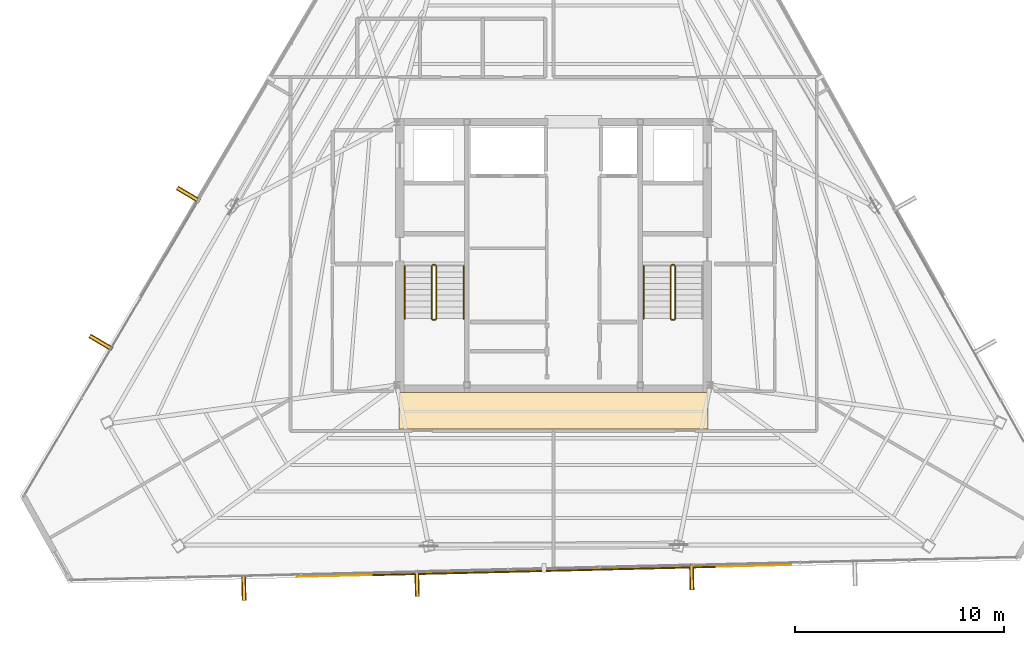
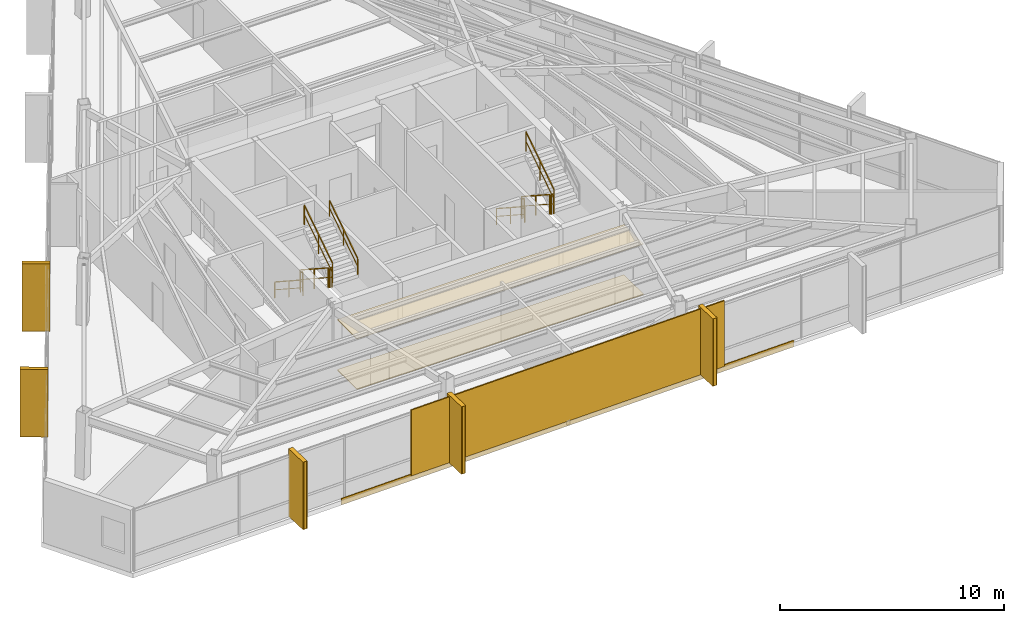
# One storey, part 44 of 45: 11 railings, 8 coverings, 6 shading devices.
"""IFC4 building model written with IfcOpenShell, lengths in metres."""

import ifcopenshell
import ifcopenshell.guid

model = None  # the IFC model being written
_history = None  # IfcOwnerHistory: only IFC2X3 demands one
_inside = {}  # id of a spatial element -> (the spatial element, [elements in it])
_under = {}  # id of a project, library or spatial element -> (it, [spatial elements below it])
_declared = {}  # id of a project -> (the project, [libraries it declares])
_typed = {}  # id of a type object -> (the type object, [elements of that type])
_made_of = {}  # id of a material, layer set ... -> (it, [elements and type objects made of it])


def new_model(schema):
    """Start an empty IFC model of exactly this schema.

    Asked for "IFC4X3", IfcOpenShell would pick the latest addendum, in which some entities
    have other attributes; the version numbers below select the first issue.
    IFC2X3 requires an IfcOwnerHistory on every rooted entity: one is made here for all.
    """
    global model, _history
    if schema == "IFC4X3":
        model = ifcopenshell.file(schema_version=(4, 3, 0, 0))
    else:
        model = ifcopenshell.file(schema=schema)
    _inside.clear()
    _under.clear()
    _declared.clear()
    _typed.clear()
    _made_of.clear()
    _history = None
    if model.schema == "IFC2X3":
        org = make("IfcOrganization", Name="unknown")
        user = make(
            "IfcPersonAndOrganization",
            ThePerson=make("IfcPerson", FamilyName="unknown"),
            TheOrganization=org,
        )
        app = make(
            "IfcApplication",
            ApplicationDeveloper=org,
            Version="unknown",
            ApplicationFullName="unknown",
            ApplicationIdentifier="unknown",
        )
        _history = make(
            "IfcOwnerHistory",
            OwningUser=user,
            OwningApplication=app,
            ChangeAction="ADDED",
            CreationDate=0,
        )
    return model


def make(cls, **values):
    """One entity of the class cls with the attributes given. An attribute that is None is left unset."""
    return model.create_entity(
        cls, **{name: value for name, value in values.items() if value is not None}
    )


def rooted(cls, **values):
    """An entity with a GlobalId (a new one), such as an element, a storey or a relation."""
    return make(cls, GlobalId=ifcopenshell.guid.new(), OwnerHistory=_history, **values)


def si_unit(unit_type, name, prefix=None):
    """IfcSIUnit, for example si_unit("LENGTHUNIT", "METRE", prefix="MILLI")."""
    return make("IfcSIUnit", UnitType=unit_type, Prefix=prefix, Name=name)


def assignment(units):
    """IfcUnitAssignment: the units of a project."""
    return None if units is None else make("IfcUnitAssignment", Units=units)


def point(xyz):
    """IfcCartesianPoint."""
    return None if xyz is None else make("IfcCartesianPoint", Coordinates=xyz)


def direction(xyz):
    """IfcDirection."""
    return None if xyz is None else make("IfcDirection", DirectionRatios=xyz)


def frame(location, z_axis=None, x_axis=None):
    """IfcAxis2Placement3D, a coordinate frame: its origin and axes. An axis left out is left unset."""
    return make(
        "IfcAxis2Placement3D",
        Location=point(location),
        Axis=direction(z_axis),
        RefDirection=direction(x_axis),
    )


def frame_2d(location, x_axis=None):
    """IfcAxis2Placement2D, a coordinate frame in the plane: its origin and x axis."""
    return make(
        "IfcAxis2Placement2D", Location=point(location), RefDirection=direction(x_axis)
    )


def origin():
    """The frame at (0, 0, 0) with its axes left unset."""
    return frame((0.0, 0.0, 0.0))


def origin_2d():
    """The frame at (0, 0) in the plane with its x axis left unset."""
    return frame_2d((0.0, 0.0))


def place(relative_to, where):
    """IfcLocalPlacement: puts the frame where relative to a parent placement (None: the world)."""
    return make(
        "IfcLocalPlacement", PlacementRelTo=relative_to, RelativePlacement=where
    )


def context(
    kind, dimensions, precision=None, world=None, true_north=None, identifier=None
):
    """IfcGeometricRepresentationContext, for example the 3D "Model" context."""
    return make(
        "IfcGeometricRepresentationContext",
        ContextIdentifier=identifier,
        ContextType=kind,
        CoordinateSpaceDimension=dimensions,
        Precision=precision,
        WorldCoordinateSystem=world,
        TrueNorth=true_north,
    )


def subcontext(parent, identifier, kind, view, scale=None):
    """IfcGeometricRepresentationSubContext, for example "Body" below "Model"."""
    return make(
        "IfcGeometricRepresentationSubContext",
        ContextIdentifier=identifier,
        ContextType=kind,
        ParentContext=parent,
        TargetScale=scale,
        TargetView=view,
    )


def project(units=None, contexts=None):
    """IfcProject with its units and contexts."""
    return rooted(
        "IfcProject",
        Name="project",
        RepresentationContexts=contexts,
        UnitsInContext=assignment(units),
    )


def spatial(cls, under=None, at=None, **own):
    """A site, building, storey or space (cls), placed at a placement, below another one or the project."""
    s = rooted(cls, ObjectPlacement=at, **own)
    if under is not None:
        _under.setdefault(under.id(), (under, []))[1].append(s)
    return s


def polyline(points):
    """IfcPolyline through the points."""
    return make("IfcPolyline", Points=[point(p) for p in points])


def profile(cls, at=None, kind="AREA", **sizes):
    """A parametric profile (cls). Its sizes go by their IFC names, for example OverallWidth=200.0."""
    return make(cls, ProfileType=kind, Position=at, **sizes)


def rectangle(**sizes):
    """IfcRectangleProfileDef."""
    return profile("IfcRectangleProfileDef", **sizes)


def outline(outer, holes=None, kind="AREA"):
    """IfcArbitraryClosedProfileDef: a profile drawn as a closed curve; with holes, ...WithVoids."""
    if holes is None:
        return make("IfcArbitraryClosedProfileDef", ProfileType=kind, OuterCurve=outer)
    return make(
        "IfcArbitraryProfileDefWithVoids",
        ProfileType=kind,
        OuterCurve=outer,
        InnerCurves=holes,
    )


def extrude(swept, where, along, depth):
    """IfcExtrudedAreaSolid: the profile swept, set in the frame where, extruded along a direction by depth."""
    return make(
        "IfcExtrudedAreaSolid",
        SweptArea=swept,
        Position=where,
        ExtrudedDirection=direction(along),
        Depth=depth,
    )


def shape(context_of_items, identifier, shape_type, items):
    """IfcShapeRepresentation: the items that make up one representation, for example the "Body"."""
    return make(
        "IfcShapeRepresentation",
        ContextOfItems=context_of_items,
        RepresentationIdentifier=identifier,
        RepresentationType=shape_type,
        Items=items,
    )


def source(mapping_origin, context_of_items, identifier, shape_type, items):
    """IfcRepresentationMap: a shape defined once, which mapped items show again and again."""
    return make(
        "IfcRepresentationMap",
        MappingOrigin=mapping_origin,
        MappedRepresentation=shape(context_of_items, identifier, shape_type, items),
    )


def transform(
    local_origin,
    x_axis=None,
    y_axis=None,
    z_axis=None,
    scale=None,
    scale2=None,
    scale3=None,
    uniform=True,
):
    """IfcCartesianTransformationOperator3D, or its non-uniform kind. x_axis, y_axis, z_axis: its Axis1, 2, 3."""
    if uniform:
        return make(
            "IfcCartesianTransformationOperator3D",
            Axis1=direction(x_axis),
            Axis2=direction(y_axis),
            LocalOrigin=point(local_origin),
            Scale=scale,
            Axis3=direction(z_axis),
        )
    return make(
        "IfcCartesianTransformationOperator3DnonUniform",
        Axis1=direction(x_axis),
        Axis2=direction(y_axis),
        LocalOrigin=point(local_origin),
        Scale=scale,
        Axis3=direction(z_axis),
        Scale2=scale2,
        Scale3=scale3,
    )


def mapped(mapping_source, mapping_target):
    """IfcMappedItem: shows the shape of a source again, moved by a transform."""
    return make(
        "IfcMappedItem", MappingSource=mapping_source, MappingTarget=mapping_target
    )


def material(Name=None, Category=None):
    """IfcMaterial."""
    return make("IfcMaterial", Name=Name, Category=Category)


def layer(
    of_material, thickness, ventilated=None, Name=None, Category=None, Priority=None
):
    """IfcMaterialLayer: one layer of a wall or slab, of a material (None: an air gap)."""
    return make(
        "IfcMaterialLayer",
        Material=of_material,
        LayerThickness=thickness,
        IsVentilated=ventilated,
        Name=Name,
        Category=Category,
        Priority=Priority,
    )


def layer_set(layers, Name=None):
    """IfcMaterialLayerSet."""
    return make("IfcMaterialLayerSet", MaterialLayers=layers, LayerSetName=Name)


def made_of(thing, what):
    """Note that an element or type object is made of a material, layer set ...; save() writes the relation."""
    if what is not None:
        _made_of.setdefault(what.id(), (what, []))[1].append(thing)
    return thing


def type_object(cls, material=None, **own):
    """A type object (cls), such as IfcWallType, which elements share."""
    return made_of(rooted(cls, **own), material)


def type_shapes(of_type, sources):
    """Give a type object the sources (RepresentationMaps) that its elements show as mapped items."""
    of_type.RepresentationMaps = sources


def element(
    cls,
    number,
    at=None,
    inside=None,
    cuts=None,
    type_object=None,
    material=None,
    context=None,
    identifier="Body",
    shape_type=None,
    held_by="IfcProductDefinitionShape",
    body=None,
    shapes=None,
    **own,
):
    """One element of the class cls, such as IfcWall. Its Tag is "e" and its number.

    at: its placement. inside: the storey or other place that contains it. cuts: it is an
    opening in that element (IfcRelVoidsElement). A single representation is given by context,
    identifier, shape_type and body (its items); several are given by shapes. held_by: the class
    of the entity that holds the representations. save() writes the other relations.
    """
    e = rooted(cls, Tag="e%d" % number, ObjectPlacement=at, **own)
    if body is not None:
        shapes = [shape(context, identifier, shape_type, body)]
    if shapes is not None:
        e.Representation = make(held_by, Representations=shapes)
    if inside is not None:
        _inside.setdefault(inside.id(), (inside, []))[1].append(e)
    if cuts is not None:
        rooted(
            "IfcRelVoidsElement", RelatingBuildingElement=cuts, RelatedOpeningElement=e
        )
    if type_object is not None:
        _typed.setdefault(type_object.id(), (type_object, []))[1].append(e)
    return made_of(e, material)


def aggregate(whole, parts):
    """IfcRelAggregates: a whole, such as a stair, and the parts it consists of."""
    return rooted("IfcRelAggregates", RelatingObject=whole, RelatedObjects=parts)


def save(model, path):
    """Write the relations noted so far, then the file.

    IfcRelAggregates (storeys below a building ...), IfcRelContainedInSpatialStructure (elements
    in a storey), IfcRelDefinesByType, IfcRelAssociatesMaterial and IfcRelDeclares: one each for
    every whole, place, type object, material and project.
    """
    for whole, parts in _under.values():
        aggregate(whole, parts)
    for where, things in _inside.values():
        rooted(
            "IfcRelContainedInSpatialStructure",
            RelatedElements=things,
            RelatingStructure=where,
        )
    for kind, things in _typed.values():
        rooted("IfcRelDefinesByType", RelatedObjects=things, RelatingType=kind)
    for what, things in _made_of.values():
        rooted("IfcRelAssociatesMaterial", RelatedObjects=things, RelatingMaterial=what)
    for by, libraries in _declared.values():
        rooted("IfcRelDeclares", RelatingContext=by, RelatedDefinitions=libraries)
    model.write(path)


model = new_model("IFC4")

# Units and contexts
model_context = context("Model", 3, precision=1e-05, world=origin(), true_north=direction((0.0, 1.0)))
body_context = subcontext(model_context, "Body", "Model", "MODEL_VIEW")
ifc_project = project(units=[si_unit("LENGTHUNIT", "METRE"), si_unit("AREAUNIT", "SQUARE_METRE"), si_unit("VOLUMEUNIT", "CUBIC_METRE"), si_unit("PLANEANGLEUNIT", "RADIAN"), si_unit("MASSUNIT", "GRAM", prefix="KILO")], contexts=[model_context])

# Site, building, storey
site_placement = place(None, origin())
site = spatial("IfcSite", under=ifc_project, at=site_placement, CompositionType="ELEMENT")
building_placement = place(site_placement, origin())
building = spatial("IfcBuilding", under=site, at=building_placement, Name="Caelisora Broadcast Tower", CompositionType="ELEMENT")
storey_placement = place(building_placement, frame((0.0, 0.0, 273.64990234375)))
storey = spatial("IfcBuildingStorey", under=building, at=storey_placement, Name="L72", CompositionType="ELEMENT", Elevation=273.64990234375)

# Coverings
ifc_material_1 = material(Name="Perforated Mineral-Fibre Acoustic Ceiling Tile", Category="gypsum")
ifc_layer_1 = layer(ifc_material_1, 0.034912109375, Name="Perforated Mineral-Fibre Acoustic Ceiling Tile")
ifc_layer_set_1 = layer_set([ifc_layer_1], Name="Perforated Mineral-Fibre Acoustic Ceiling Tile")
covering_type_1 = type_object("IfcCoveringType", Name="CE-1", PredefinedType="CEILING", material=ifc_layer_set_1)
covering_1_placement = place(storey_placement, frame((0.0, 0.0, 2.75)))
element("IfcCovering", 1, at=covering_1_placement, inside=storey, type_object=covering_type_1, Name="L72 acoustic corridor ceiling CE-1 (S)", PredefinedType="CEILING", context=body_context, shape_type="SweptSolid", body=[
    extrude(outline(polyline([(30.60009765625, 15.300048828125), (45.39990234375, 15.300048828125), (45.39990234375, 17.050048828125), (30.60009765625, 17.050048828125), (30.60009765625, 15.300048828125)])), origin(), (0.0, 0.0, 1.0), 0.03515625),
])
ifc_material_2 = material(Name="Anti-Static Broadcast Raised Access Floor Panel", Category="steel")
ifc_layer_2 = layer(ifc_material_2, 0.044921875, Name="Anti-Static Broadcast Raised Access Floor Panel")
ifc_layer_set_2 = layer_set([ifc_layer_2], Name="Anti-Static Broadcast Raised Access Floor Panel")
covering_type_2 = type_object("IfcCoveringType", Name="FL-1", PredefinedType="FLOORING", material=ifc_layer_set_2)
covering_2_placement = place(storey_placement, origin())
element("IfcCovering", 2, at=covering_2_placement, inside=storey, type_object=covering_type_2, Name="L72 broadcast raised access floor FL-1 (S)", PredefinedType="FLOORING", context=body_context, shape_type="SweptSolid", body=[
    extrude(outline(polyline([(30.60009765625, 15.300048828125), (45.39990234375, 15.300048828125), (45.39990234375, 17.050048828125), (30.60009765625, 17.050048828125), (30.60009765625, 15.300048828125)])), origin(), (0.0, 0.0, 1.0), 0.045166015625),
])

# Railings
ifc_material_3 = material(Name="Galvanised Steel Safety Guardrail", Category="steel")
ifc_layer_3 = layer(ifc_material_3, 0.048095703125, Name="Galvanised Steel Safety Guardrail")
ifc_layer_set_3 = layer_set([ifc_layer_3], Name="Galvanised Steel Safety Guardrail")
railing_type_1 = type_object("IfcRailingType", Name="GR-1", PredefinedType="GUARDRAIL", material=ifc_layer_set_3)
railing_1_placement = place(storey_placement, frame((32.169921875, 23.10009765625, 0.1826171875)))
element("IfcRailing", 3, at=railing_1_placement, inside=storey, type_object=railing_type_1, Name="L72 ST-1 stair guard 1", PredefinedType="GUARDRAIL", context=body_context, shape_type="SweptSolid", body=[
    extrude(rectangle(XDim=0.048095703125, YDim=0.048095703125, at=origin_2d()), frame((0.0, 0.0, 1.076171875), z_axis=(0.0, -0.837749427056, 0.546054848405), x_axis=(1.0, 0.0, 0.0)), (0.0, 0.0, 1.0), 3.008056640625),
    extrude(rectangle(XDim=0.03125, YDim=0.03125, at=origin_2d()), frame((0.0, 0.0, 0.550048828125), z_axis=(0.0, -0.837749427056, 0.546054848405), x_axis=(1.0, 0.0, 0.0)), (0.0, 0.0, 1.0), 3.008056640625),
    extrude(rectangle(XDim=0.0419921875, YDim=0.0419921875, at=origin_2d()), origin(), (0.0, 0.0, 1.0), 1.052001953125),
    extrude(rectangle(XDim=0.0419921875, YDim=0.0419921875, at=origin_2d()), frame((0.0, -1.260009765625, 0.8212890625)), (0.0, 0.0, 1.0), 1.052001953125),
    extrude(rectangle(XDim=0.0419921875, YDim=0.0419921875, at=origin_2d()), frame((0.0, -2.52001953125, 1.642578125)), (0.0, 0.0, 1.0), 1.052001953125),
])
railing_2_placement = place(storey_placement, frame((32.219970703125, 20.530029296875, 1.8251953125)))
element("IfcRailing", 4, at=railing_2_placement, inside=storey, type_object=railing_type_1, Name="L72 ST-1 stair guard 2", PredefinedType="GUARDRAIL", context=body_context, shape_type="SweptSolid", body=[
    extrude(rectangle(XDim=0.048095703125, YDim=0.048095703125, at=origin_2d()), frame((0.0, 0.0, 1.076171875), z_axis=(1.0, 0.0, 0.0), x_axis=(0.0, 1.0, 0.0)), (0.0, 0.0, 1.0), 0.1201171875),
    extrude(rectangle(XDim=0.03125, YDim=0.03125, at=origin_2d()), frame((0.0, 0.0, 0.550048828125), z_axis=(1.0, 0.0, 0.0), x_axis=(0.0, 1.0, 0.0)), (0.0, 0.0, 1.0), 0.1201171875),
    extrude(rectangle(XDim=0.0419921875, YDim=0.0419921875, at=origin_2d()), origin(), (0.0, 0.0, 1.0), 1.052001953125),
    extrude(rectangle(XDim=0.0419921875, YDim=0.0419921875, at=origin_2d()), frame((0.1201171875, 0.0, 0.0)), (0.0, 0.0, 1.0), 1.052001953125),
])
railing_3_placement = place(storey_placement, frame((32.389892578125, 20.580078125, 2.007568359375)))
element("IfcRailing", 5, at=railing_3_placement, inside=storey, type_object=railing_type_1, Name="L72 ST-1 stair guard 3", PredefinedType="GUARDRAIL", context=body_context, shape_type="SweptSolid", body=[
    extrude(rectangle(XDim=0.048095703125, YDim=0.048095703125, at=origin_2d()), frame((0.0, 0.0, 1.076171875), z_axis=(0.0, 0.837749427056, 0.546054848405), x_axis=(-1.0, 0.0, 0.0)), (0.0, 0.0, 1.0), 3.008056640625),
    extrude(rectangle(XDim=0.03125, YDim=0.03125, at=origin_2d()), frame((0.0, 0.0, 0.550048828125), z_axis=(0.0, 0.837749427056, 0.546054848405), x_axis=(-1.0, 0.0, 0.0)), (0.0, 0.0, 1.0), 3.008056640625),
    extrude(rectangle(XDim=0.0419921875, YDim=0.0419921875, at=origin_2d()), origin(), (0.0, 0.0, 1.0), 1.052001953125),
    extrude(rectangle(XDim=0.0419921875, YDim=0.0419921875, at=origin_2d()), frame((0.0, 1.260009765625, 0.8212890625)), (0.0, 0.0, 1.0), 1.052001953125),
    extrude(rectangle(XDim=0.0419921875, YDim=0.0419921875, at=origin_2d()), frame((0.0, 2.52001953125, 1.642578125)), (0.0, 0.0, 1.0), 1.052001953125),
])
railing_4_placement = place(storey_placement, frame((32.219970703125, 23.14990234375, 0.0)))
element("IfcRailing", 6, at=railing_4_placement, inside=storey, type_object=railing_type_1, Name="L72 ST-1 stair guard 4", PredefinedType="GUARDRAIL", context=body_context, shape_type="SweptSolid", body=[
    extrude(rectangle(XDim=0.048095703125, YDim=0.048095703125, at=origin_2d()), frame((0.0, 0.0, 1.076171875), z_axis=(1.0, 0.0, 0.0), x_axis=(0.0, 1.0, 0.0)), (0.0, 0.0, 1.0), 0.1201171875),
    extrude(rectangle(XDim=0.03125, YDim=0.03125, at=origin_2d()), frame((0.0, 0.0, 0.550048828125), z_axis=(1.0, 0.0, 0.0), x_axis=(0.0, 1.0, 0.0)), (0.0, 0.0, 1.0), 0.1201171875),
    extrude(rectangle(XDim=0.0419921875, YDim=0.0419921875, at=origin_2d()), origin(), (0.0, 0.0, 1.0), 1.052001953125),
    extrude(rectangle(XDim=0.0419921875, YDim=0.0419921875, at=origin_2d()), frame((0.1201171875, 0.0, 0.0)), (0.0, 0.0, 1.0), 1.052001953125),
])
railing_5_placement = place(storey_placement, frame((43.610107421875, 23.10009765625, 0.1826171875)))
element("IfcRailing", 7, at=railing_5_placement, inside=storey, type_object=railing_type_1, Name="L72 ST-2 stair guard 1", PredefinedType="GUARDRAIL", context=body_context, shape_type="SweptSolid", body=[
    extrude(rectangle(XDim=0.048095703125, YDim=0.048095703125, at=origin_2d()), frame((0.0, 0.0, 1.076171875), z_axis=(0.0, -0.837749427056, 0.546054848405), x_axis=(1.0, 0.0, 0.0)), (0.0, 0.0, 1.0), 3.008056640625),
    extrude(rectangle(XDim=0.03125, YDim=0.03125, at=origin_2d()), frame((0.0, 0.0, 0.550048828125), z_axis=(0.0, -0.837749427056, 0.546054848405), x_axis=(1.0, 0.0, 0.0)), (0.0, 0.0, 1.0), 3.008056640625),
    extrude(rectangle(XDim=0.0419921875, YDim=0.0419921875, at=origin_2d()), origin(), (0.0, 0.0, 1.0), 1.052001953125),
    extrude(rectangle(XDim=0.0419921875, YDim=0.0419921875, at=origin_2d()), frame((0.0, -1.260009765625, 0.8212890625)), (0.0, 0.0, 1.0), 1.052001953125),
    extrude(rectangle(XDim=0.0419921875, YDim=0.0419921875, at=origin_2d()), frame((0.0, -2.52001953125, 1.642578125)), (0.0, 0.0, 1.0), 1.052001953125),
])
railing_6_placement = place(storey_placement, frame((43.659912109375, 20.530029296875, 1.8251953125)))
element("IfcRailing", 8, at=railing_6_placement, inside=storey, type_object=railing_type_1, Name="L72 ST-2 stair guard 2", PredefinedType="GUARDRAIL", context=body_context, shape_type="SweptSolid", body=[
    extrude(rectangle(XDim=0.048095703125, YDim=0.048095703125, at=origin_2d()), frame((0.0, 0.0, 1.076171875), z_axis=(1.0, 0.0, 0.0), x_axis=(0.0, 1.0, 0.0)), (0.0, 0.0, 1.0), 0.1201171875),
    extrude(rectangle(XDim=0.03125, YDim=0.03125, at=origin_2d()), frame((0.0, 0.0, 0.550048828125), z_axis=(1.0, 0.0, 0.0), x_axis=(0.0, 1.0, 0.0)), (0.0, 0.0, 1.0), 0.1201171875),
    extrude(rectangle(XDim=0.0419921875, YDim=0.0419921875, at=origin_2d()), origin(), (0.0, 0.0, 1.0), 1.052001953125),
    extrude(rectangle(XDim=0.0419921875, YDim=0.0419921875, at=origin_2d()), frame((0.1201171875, 0.0, 0.0)), (0.0, 0.0, 1.0), 1.052001953125),
])
railing_7_placement = place(storey_placement, frame((43.830078125, 20.580078125, 2.007568359375)))
element("IfcRailing", 9, at=railing_7_placement, inside=storey, type_object=railing_type_1, Name="L72 ST-2 stair guard 3", PredefinedType="GUARDRAIL", context=body_context, shape_type="SweptSolid", body=[
    extrude(rectangle(XDim=0.048095703125, YDim=0.048095703125, at=origin_2d()), frame((0.0, 0.0, 1.076171875), z_axis=(0.0, 0.837749427056, 0.546054848405), x_axis=(-1.0, 0.0, 0.0)), (0.0, 0.0, 1.0), 3.008056640625),
    extrude(rectangle(XDim=0.03125, YDim=0.03125, at=origin_2d()), frame((0.0, 0.0, 0.550048828125), z_axis=(0.0, 0.837749427056, 0.546054848405), x_axis=(-1.0, 0.0, 0.0)), (0.0, 0.0, 1.0), 3.008056640625),
    extrude(rectangle(XDim=0.0419921875, YDim=0.0419921875, at=origin_2d()), origin(), (0.0, 0.0, 1.0), 1.052001953125),
    extrude(rectangle(XDim=0.0419921875, YDim=0.0419921875, at=origin_2d()), frame((0.0, 1.260009765625, 0.8212890625)), (0.0, 0.0, 1.0), 1.052001953125),
    extrude(rectangle(XDim=0.0419921875, YDim=0.0419921875, at=origin_2d()), frame((0.0, 2.52001953125, 1.642578125)), (0.0, 0.0, 1.0), 1.052001953125),
])
railing_8_placement = place(storey_placement, frame((43.659912109375, 23.14990234375, 0.0)))
element("IfcRailing", 10, at=railing_8_placement, inside=storey, type_object=railing_type_1, Name="L72 ST-2 stair guard 4", PredefinedType="GUARDRAIL", context=body_context, shape_type="SweptSolid", body=[
    extrude(rectangle(XDim=0.048095703125, YDim=0.048095703125, at=origin_2d()), frame((0.0, 0.0, 1.076171875), z_axis=(1.0, 0.0, 0.0), x_axis=(0.0, 1.0, 0.0)), (0.0, 0.0, 1.0), 0.1201171875),
    extrude(rectangle(XDim=0.03125, YDim=0.03125, at=origin_2d()), frame((0.0, 0.0, 0.550048828125), z_axis=(1.0, 0.0, 0.0), x_axis=(0.0, 1.0, 0.0)), (0.0, 0.0, 1.0), 0.1201171875),
    extrude(rectangle(XDim=0.0419921875, YDim=0.0419921875, at=origin_2d()), origin(), (0.0, 0.0, 1.0), 1.052001953125),
    extrude(rectangle(XDim=0.0419921875, YDim=0.0419921875, at=origin_2d()), frame((0.1201171875, 0.0, 0.0)), (0.0, 0.0, 1.0), 1.052001953125),
])
ifc_material_4 = material(Name="Stainless Steel Grade 316 Tubular Handrail", Category="steel")
ifc_layer_4 = layer(ifc_material_4, 0.048095703125, Name="Stainless Steel Grade 316 Tubular Handrail")
ifc_layer_set_4 = layer_set([ifc_layer_4], Name="Stainless Steel Grade 316 Tubular Handrail")
railing_type_2 = type_object("IfcRailingType", Name="HR-1", PredefinedType="HANDRAIL", material=ifc_layer_set_4)
railing_9_placement = place(storey_placement, frame((30.8701171875, 23.10009765625, 0.1826171875)))
element("IfcRailing", 11, at=railing_9_placement, inside=storey, type_object=railing_type_2, Name="L72 ST-1 stair handrail 1", PredefinedType="HANDRAIL", context=body_context, shape_type="SweptSolid", body=[
    extrude(rectangle(XDim=0.048095703125, YDim=0.048095703125, at=origin_2d()), frame((0.0, 0.0, 0.8759765625), z_axis=(0.0, -0.837749427056, 0.546054848405), x_axis=(1.0, 0.0, 0.0)), (0.0, 0.0, 1.0), 3.008056640625),
    extrude(rectangle(XDim=0.03125, YDim=0.03125, at=origin_2d()), frame((0.0, 0.0, 0.449951171875), z_axis=(0.0, -0.837749427056, 0.546054848405), x_axis=(1.0, 0.0, 0.0)), (0.0, 0.0, 1.0), 3.008056640625),
    extrude(rectangle(XDim=0.0419921875, YDim=0.0419921875, at=origin_2d()), origin(), (0.0, 0.0, 1.0), 0.851806640625),
    extrude(rectangle(XDim=0.0419921875, YDim=0.0419921875, at=origin_2d()), frame((0.0, -1.260009765625, 0.8212890625)), (0.0, 0.0, 1.0), 0.851806640625),
    extrude(rectangle(XDim=0.0419921875, YDim=0.0419921875, at=origin_2d()), frame((0.0, -2.52001953125, 1.642578125)), (0.0, 0.0, 1.0), 0.851806640625),
])
railing_10_placement = place(storey_placement, frame((33.68994140625, 20.580078125, 2.007568359375)))
element("IfcRailing", 12, at=railing_10_placement, inside=storey, type_object=railing_type_2, Name="L72 ST-1 stair handrail 2", PredefinedType="HANDRAIL", context=body_context, shape_type="SweptSolid", body=[
    extrude(rectangle(XDim=0.048095703125, YDim=0.048095703125, at=origin_2d()), frame((0.0, 0.0, 0.8759765625), z_axis=(0.0, 0.837749427056, 0.546054848405), x_axis=(-1.0, 0.0, 0.0)), (0.0, 0.0, 1.0), 3.008056640625),
    extrude(rectangle(XDim=0.03125, YDim=0.03125, at=origin_2d()), frame((0.0, 0.0, 0.449951171875), z_axis=(0.0, 0.837749427056, 0.546054848405), x_axis=(-1.0, 0.0, 0.0)), (0.0, 0.0, 1.0), 3.008056640625),
    extrude(rectangle(XDim=0.0419921875, YDim=0.0419921875, at=origin_2d()), origin(), (0.0, 0.0, 1.0), 0.851806640625),
    extrude(rectangle(XDim=0.0419921875, YDim=0.0419921875, at=origin_2d()), frame((0.0, 1.260009765625, 0.8212890625)), (0.0, 0.0, 1.0), 0.851806640625),
    extrude(rectangle(XDim=0.0419921875, YDim=0.0419921875, at=origin_2d()), frame((0.0, 2.52001953125, 1.642578125)), (0.0, 0.0, 1.0), 0.851806640625),
])
railing_11_placement = place(storey_placement, frame((42.31005859375, 23.10009765625, 0.1826171875)))
element("IfcRailing", 13, at=railing_11_placement, inside=storey, type_object=railing_type_2, Name="L72 ST-2 stair handrail 1", PredefinedType="HANDRAIL", context=body_context, shape_type="SweptSolid", body=[
    extrude(rectangle(XDim=0.048095703125, YDim=0.048095703125, at=origin_2d()), frame((0.0, 0.0, 0.8759765625), z_axis=(0.0, -0.837749427056, 0.546054848405), x_axis=(1.0, 0.0, 0.0)), (0.0, 0.0, 1.0), 3.008056640625),
    extrude(rectangle(XDim=0.03125, YDim=0.03125, at=origin_2d()), frame((0.0, 0.0, 0.449951171875), z_axis=(0.0, -0.837749427056, 0.546054848405), x_axis=(1.0, 0.0, 0.0)), (0.0, 0.0, 1.0), 3.008056640625),
    extrude(rectangle(XDim=0.0419921875, YDim=0.0419921875, at=origin_2d()), origin(), (0.0, 0.0, 1.0), 0.851806640625),
    extrude(rectangle(XDim=0.0419921875, YDim=0.0419921875, at=origin_2d()), frame((0.0, -1.260009765625, 0.8212890625)), (0.0, 0.0, 1.0), 0.851806640625),
    extrude(rectangle(XDim=0.0419921875, YDim=0.0419921875, at=origin_2d()), frame((0.0, -2.52001953125, 1.642578125)), (0.0, 0.0, 1.0), 0.851806640625),
])

# Coverings
ifc_material_5 = material(Name="Kiln-Fired Terracotta Spandrel Rainscreen Cladding", Category="ceramic")
ifc_layer_5 = layer(ifc_material_5, 0.044921875, Name="Kiln-Fired Terracotta Spandrel Rainscreen Cladding")
ifc_layer_set_5 = layer_set([ifc_layer_5], Name="Kiln-Fired Terracotta Spandrel Rainscreen Cladding")
covering_type_3 = type_object("IfcCoveringType", Name="CL-1", PredefinedType="CLADDING", material=ifc_layer_set_5)
shared_shape_1 = source(origin(), body_context, "Body", "SweptSolid", [
    extrude(rectangle(XDim=0.219970703125, YDim=1.25, at=origin_2d()), origin(), (0.0, 0.0, 1.0), 3.68994140625),
])
for number, where, z_axis, x_axis, name in (
    (14, (44.617431640625, 8.211181640625, -0.019775390625), (0.0, 0.0, 1.0), (-0.999709957315, -0.024083215021, 0.0), "L72 vertical solar fin cladding #2-2"),
    (15, (31.460693359375, 7.89404296875, -0.019775390625), (0.0, 0.0, 1.0), (-0.999709957315, -0.024083215021, 0.0), "L72 vertical solar fin cladding #2-3"),
    (16, (23.1640625, 7.694091796875, -0.019775390625), (0.0, 0.0, 1.0), (-0.999709957315, -0.024083215021, 0.0), "L72 vertical solar fin cladding #2-4"),
    (17, (16.31982421875, 19.43505859375, -0.019775390625), (0.0, 0.0, 1.0), (0.508590662521, 0.861008442465, 0.0), "L72 vertical solar fin cladding #3-1"),
    (18, (20.507080078125, 26.523193359375, -0.019775390625), (0.0, 0.0, 1.0), (0.508590662521, 0.861008442465, 0.0), "L72 vertical solar fin cladding #3-2"),
):
    element("IfcCovering", number, at=place(storey_placement, frame(where, z_axis=z_axis, x_axis=x_axis)), inside=storey, type_object=covering_type_3, Name=name, PredefinedType="CLADDING", context=body_context, shape_type="MappedRepresentation", body=[
        mapped(shared_shape_1, transform((0.0, 0.0, 0.0), scale=1.0)),
    ])

# Shading devices
ifc_material_6 = material(Name="Extruded Terracotta Flaring Colonnade Fin", Category="ceramic")
ifc_layer_6 = layer(ifc_material_6, 0.139892578125, Name="Extruded Terracotta Flaring Colonnade Fin")
ifc_layer_set_6 = layer_set([ifc_layer_6], Name="Extruded Terracotta Flaring Colonnade Fin")
shading_device_type_1 = type_object("IfcShadingDeviceType", Name="FN-1", PredefinedType="USERDEFINED", material=ifc_layer_set_6)
shared_shape_2 = source(origin(), body_context, "Body", "SweptSolid", [
    extrude(rectangle(XDim=0.139892578125, YDim=1.25, at=origin_2d()), origin(), (0.0, 0.0, 1.0), 3.669921875),
])
type_shapes(shading_device_type_1, [shared_shape_2])
for number, where, z_axis, x_axis, name in (
    (19, (44.617431640625, 8.211181640625, -0.009765625), (0.0, 0.0, 1.0), (-0.999709957315, -0.024083215021, 0.0), "L72 vertical terracotta fin #2-2"),
    (20, (31.460693359375, 7.89404296875, -0.009765625), (0.0, 0.0, 1.0), (-0.999709957315, -0.024083215021, 0.0), "L72 vertical terracotta fin #2-3"),
    (21, (23.1640625, 7.694091796875, -0.009765625), (0.0, 0.0, 1.0), (-0.999709957315, -0.024083215021, 0.0), "L72 vertical terracotta fin #2-4"),
    (22, (16.31982421875, 19.43505859375, -0.009765625), (0.0, 0.0, 1.0), (0.508590662521, 0.861008442465, 0.0), "L72 vertical terracotta fin #3-1"),
    (23, (20.507080078125, 26.523193359375, -0.009765625), (0.0, 0.0, 1.0), (0.508590662521, 0.861008442465, 0.0), "L72 vertical terracotta fin #3-2"),
):
    element("IfcShadingDevice", number, at=place(storey_placement, frame(where, z_axis=z_axis, x_axis=x_axis)), inside=storey, type_object=shading_device_type_1, Name=name, ObjectType="FIN", PredefinedType="USERDEFINED", context=body_context, shape_type="MappedRepresentation", body=[
        mapped(shared_shape_2, transform((0.0, 0.0, 0.0), scale=1.0)),
    ])
ifc_material_7 = material(Name="Perforated Glazed Terracotta Baguette Solar Screen", Category="ceramic")
ifc_layer_7 = layer(ifc_material_7, 0.06494140625, Name="Perforated Glazed Terracotta Baguette Solar Screen")
ifc_layer_set_7 = layer_set([ifc_layer_7], Name="Perforated Glazed Terracotta Baguette Solar Screen")
shading_device_type_2 = type_object("IfcShadingDeviceType", Name="SS-1", PredefinedType="USERDEFINED", material=ifc_layer_set_7)
shared_shape_3 = source(origin(), body_context, "Body", "SweptSolid", [
    extrude(rectangle(XDim=16.406982421875, YDim=0.06494140625, at=origin_2d()), origin(), (0.0, 0.0, 1.0), 3.590087890625),
])
type_shapes(shading_device_type_2, [shared_shape_3])
shading_device_placement = place(storey_placement, frame((37.547119140625, 8.490966796875, 0.0), z_axis=(0.0, 0.0, 1.0), x_axis=(0.999709957315, 0.024083215021, 0.0)))
element("IfcShadingDevice", 24, at=shading_device_placement, inside=storey, type_object=shading_device_type_2, Name="L72 perforated terracotta solar screen #2", ObjectType="SOLAR SCREEN", PredefinedType="USERDEFINED", context=body_context, shape_type="MappedRepresentation", body=[
    mapped(shared_shape_3, transform((0.0, 0.0, 0.0), scale=1.0)),
])

# Covering
shared_shape_4 = source(origin(), body_context, "Body", "SweptSolid", [
    extrude(rectangle(XDim=23.698974609375, YDim=0.044921875, at=origin_2d()), origin(), (0.0, 0.0, 1.0), 0.340087890625),
])
type_shapes(covering_type_3, [shared_shape_1, shared_shape_4])
covering_3_placement = place(storey_placement, frame((37.546630859375, 8.510986328125, -0.27001953125), z_axis=(0.0, 0.0, 1.0), x_axis=(0.999709957315, 0.024083215021, 0.0)))
element("IfcCovering", 25, at=covering_3_placement, inside=storey, type_object=covering_type_3, Name="L72 terracotta spandrel rainscreen #2", PredefinedType="CLADDING", context=body_context, shape_type="MappedRepresentation", body=[
    mapped(shared_shape_4, transform((0.0, 0.0, 0.0), scale=1.0)),
])

save(model, "model.ifc")
